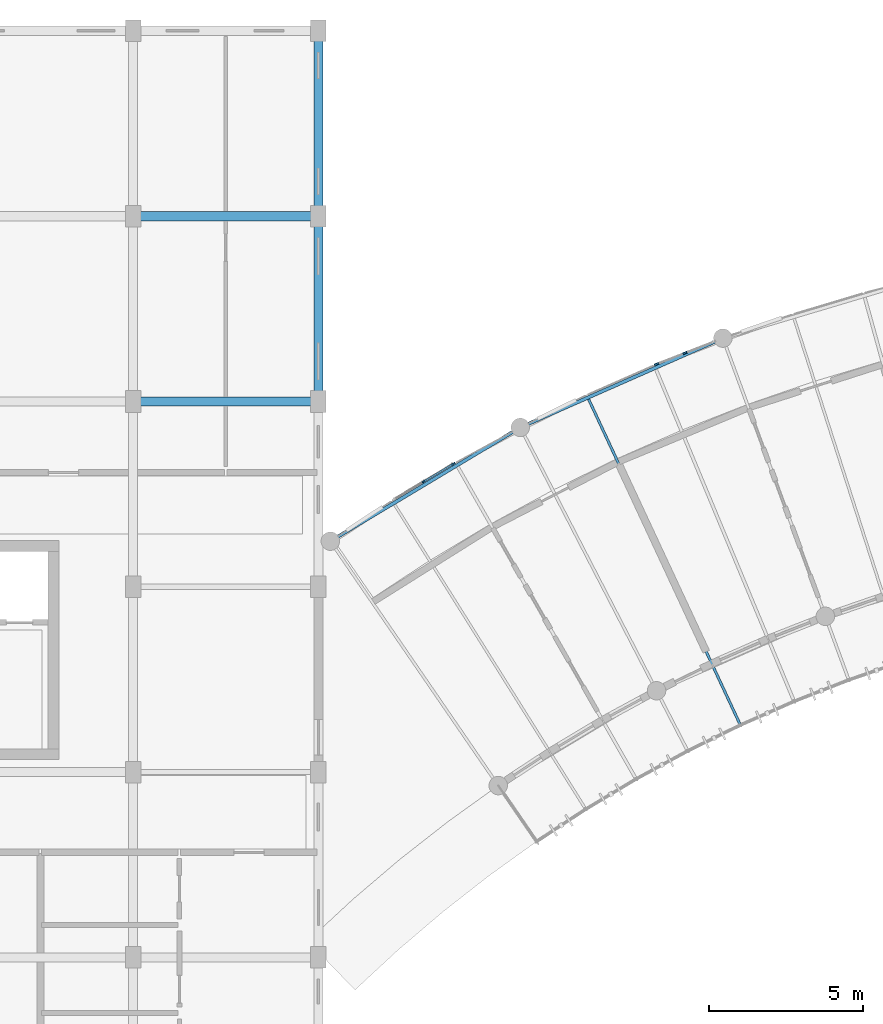
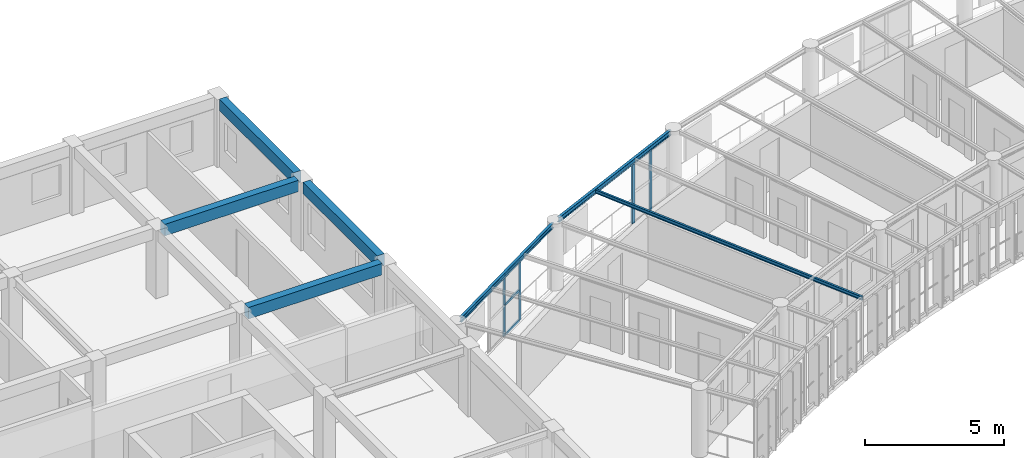
# One storey, part 32 of 101: 7 beams, 7 members, 2 elements without a shape of their own.
"""IFC4 building model written with IfcOpenShell, lengths in metres."""

from ifc_helpers import new_model, si_unit, direction, frame, origin, origin_2d, place, context, subcontext, project, spatial, rectangle, i_section, extrude, material, layer, layer_set, material_profile, profile_set, type_object, element, aggregate, save


model = new_model("IFC4")

# Units and contexts
model_context = context("Model", 3, precision=1e-05, world=origin(), true_north=direction((0.0, 1.0)))
body_context = subcontext(model_context, "Body", "Model", "MODEL_VIEW")
ifc_project = project(units=[si_unit("LENGTHUNIT", "METRE"), si_unit("AREAUNIT", "SQUARE_METRE"), si_unit("VOLUMEUNIT", "CUBIC_METRE"), si_unit("PLANEANGLEUNIT", "RADIAN"), si_unit("MASSUNIT", "GRAM", prefix="KILO"), si_unit("POWERUNIT", "WATT"), si_unit("THERMODYNAMICTEMPERATUREUNIT", "KELVIN")], contexts=[model_context])

# Site, building, storey
site_placement = place(None, origin())
site = spatial("IfcSite", under=ifc_project, at=site_placement, CompositionType="ELEMENT")
building_placement = place(site_placement, origin())
building = spatial("IfcBuilding", under=site, at=building_placement, Name="Ruvembo Vaulted Housing Court", CompositionType="ELEMENT")
storey_placement = place(building_placement, frame((0.0, 0.0, 17.300048828125)))
storey = spatial("IfcBuildingStorey", under=building, at=storey_placement, Name="L05", CompositionType="ELEMENT", Elevation=17.300048828125)

# Beams
ifc_material_1 = material(Name="Steel S355J2", Category="steel")
ifc_material_profile_1 = material_profile(ifc_material_1, i_section(OverallWidth=0.08203125, OverallDepth=0.159912109375, WebThickness=0.0048828125, FlangeThickness=0.00732421875, FilletRadius=0.009033203125, at=origin_2d()), Name="IPE 160")
ifc_profile_set_1 = profile_set([ifc_material_profile_1], Name="Steel S355J2")
beam_type_1 = type_object("IfcBeamType", Name="BM-ST-IPE160", PredefinedType="JOIST", material=ifc_profile_set_1)
beam_1_placement = place(storey_placement, frame((92.744873046875, 102.07958984375, 2.85205078125), z_axis=(0.422190259357, -0.906507244816, 0.0), x_axis=(0.906507244816, 0.422190259357, 0.0)))
element("IfcBeam", 1, at=beam_1_placement, inside=storey, type_object=beam_type_1, Name="Scoop SC3 L05 Radial Steel Joist 4", PredefinedType="JOIST", context=body_context, shape_type="SweptSolid", body=[
    extrude(i_section(OverallWidth=0.08203125, OverallDepth=0.159912109375, WebThickness=0.0048828125, FlangeThickness=0.00732421875, FilletRadius=0.009033203125, at=origin_2d()), origin(), (0.0, 0.0, 1.0), 11.69091796875),
])
ifc_material_profile_2 = material_profile(ifc_material_1, i_section(OverallWidth=0.110107421875, OverallDepth=0.219970703125, WebThickness=0.005859375, FlangeThickness=0.00927734375, FilletRadius=0.011962890625, at=origin_2d()), Name="IPE 220")
ifc_profile_set_2 = profile_set([ifc_material_profile_2], Name="Steel S355J2")
beam_type_2 = type_object("IfcBeamType", Name="BM-ST-IPE220", PredefinedType="SPANDREL", material=ifc_profile_set_2)
beam_2_placement = place(storey_placement, frame((84.54931640625, 97.574951171875, 2.823974609375), z_axis=(0.857886180297, 0.513839762626, 0.0), x_axis=(-0.513839762626, 0.857886180297, 0.0)))
element("IfcBeam", 2, at=beam_2_placement, inside=storey, type_object=beam_type_2, Name="Scoop SC3 L05 Chord Girder B0", PredefinedType="SPANDREL", context=body_context, shape_type="SweptSolid", body=[
    extrude(i_section(OverallWidth=0.110107421875, OverallDepth=0.219970703125, WebThickness=0.005859375, FlangeThickness=0.00927734375, FilletRadius=0.011962890625, at=origin_2d()), origin(), (0.0, 0.0, 1.0), 6.7880859375),
])
beam_3_placement = place(storey_placement, frame((90.709716796875, 101.2373046875, 2.823974609375), z_axis=(0.915067740263, 0.403300174474, 0.0), x_axis=(-0.403300174474, 0.915067740263, 0.0)))
element("IfcBeam", 3, at=beam_3_placement, inside=storey, type_object=beam_type_2, Name="Scoop SC3 L05 Chord Girder B3", PredefinedType="SPANDREL", context=body_context, shape_type="SweptSolid", body=[
    extrude(i_section(OverallWidth=0.110107421875, OverallDepth=0.219970703125, WebThickness=0.005859375, FlangeThickness=0.00927734375, FilletRadius=0.011962890625, at=origin_2d()), origin(), (0.0, 0.0, 1.0), 6.78857421875),
])

# Curtain wall, members
ifc_material_2 = material(Name="Anodised Aluminium and Solar-Control Glass", Category="aluminium")
ifc_layer = layer(ifc_material_2, 0.1201171875, Name="Anodised Aluminium and Solar-Control Glass")
ifc_layer_set = layer_set([ifc_layer], Name="Anodised Aluminium and Solar-Control Glass")
curtain_wall_type = type_object("IfcCurtainWallType", Name="CW-SCOOP-GAL", PredefinedType="NOTDEFINED", material=ifc_layer_set)
curtain_wall_1_placement = place(storey_placement, origin())
curtain_wall_1 = element("IfcCurtainWall", 4, at=curtain_wall_1_placement, inside=storey, type_object=curtain_wall_type, Name="L05 Curtain Wall CW-L05-0083", PredefinedType="NOTDEFINED")
ifc_material_3 = material(Name="Anodised Aluminium 6063-T6", Category="aluminium")
ifc_material_profile_3 = material_profile(ifc_material_3, rectangle(XDim=0.054931640625, YDim=0.1201171875, at=origin_2d()), Name="ALU 55x120")
ifc_profile_set_3 = profile_set([ifc_material_profile_3], Name="Anodised Aluminium 6063-T6")
member_type_1 = type_object("IfcMemberType", Name="CW-MUL-55x120", PredefinedType="MULLION", material=ifc_profile_set_3)
member_1_placement = place(storey_placement, frame((87.41015625, 99.404052734375, 0.0), z_axis=(0.0, 0.0, 1.0), x_axis=(-0.513827980288, 0.85789323734, 0.0)))
member_1 = element("IfcMember", 5, at=member_1_placement, type_object=member_type_1, Name="CW6 mullion 2", PredefinedType="MULLION", context=body_context, shape_type="SweptSolid", body=[
    extrude(rectangle(XDim=0.054931640625, YDim=0.1201171875, at=origin_2d()), origin(), (0.0, 0.0, 1.0), 2.68994140625),
])
member_2_placement = place(storey_placement, frame((88.369140625, 99.978515625, 0.0), z_axis=(0.0, 0.0, 1.0), x_axis=(-0.513827980288, 0.85789323734, 0.0)))
member_2 = element("IfcMember", 6, at=member_2_placement, type_object=member_type_1, Name="CW6 mullion 3", PredefinedType="MULLION", context=body_context, shape_type="SweptSolid", body=[
    extrude(rectangle(XDim=0.054931640625, YDim=0.1201171875, at=origin_2d()), origin(), (0.0, 0.0, 1.0), 2.68994140625),
])

curtain_wall_2_placement = place(storey_placement, origin())
curtain_wall_2 = element("IfcCurtainWall", 7, at=curtain_wall_2_placement, inside=storey, type_object=curtain_wall_type, Name="L05 Curtain Wall CW-L05-0084", PredefinedType="NOTDEFINED")
ifc_material_profile_4 = material_profile(ifc_material_3, rectangle(XDim=0.06005859375, YDim=0.139892578125, at=origin_2d()), Name="ALU 60x140")
ifc_profile_set_4 = profile_set([ifc_material_profile_4], Name="Anodised Aluminium 6063-T6")
member_type_2 = type_object("IfcMemberType", Name="CW-MUL-60x140", PredefinedType="MULLION", material=ifc_profile_set_4)
member_3_placement = place(storey_placement, frame((94.944091796875, 103.208251953125, 0.0), z_axis=(0.0, 0.0, 1.0), x_axis=(-0.36500342181, 0.931006177244, 0.0)))
member_3 = element("IfcMember", 8, at=member_3_placement, type_object=member_type_2, Name="CW6 mullion 1", PredefinedType="MULLION", context=body_context, shape_type="SweptSolid", body=[
    extrude(rectangle(XDim=0.06005859375, YDim=0.139892578125, at=origin_2d()), origin(), (0.0, 0.0, 1.0), 2.68994140625),
])
member_4_placement = place(storey_placement, frame((95.8662109375, 103.569580078125, 0.0), z_axis=(0.0, 0.0, 1.0), x_axis=(-0.36500342181, 0.931006177244, 0.0)))
member_4 = element("IfcMember", 9, at=member_4_placement, type_object=member_type_2, Name="CW6 mullion 2", PredefinedType="MULLION", context=body_context, shape_type="SweptSolid", body=[
    extrude(rectangle(XDim=0.06005859375, YDim=0.139892578125, at=origin_2d()), origin(), (0.0, 0.0, 1.0), 2.68994140625),
])
aggregate(curtain_wall_2, [member_3, member_4])

# Member
ifc_material_profile_5 = material_profile(ifc_material_3, rectangle(XDim=0.06005859375, YDim=0.10009765625, at=origin_2d()), Name="ALU 60x100")
ifc_profile_set_5 = profile_set([ifc_material_profile_5], Name="Anodised Aluminium 6063-T6")
member_type_3 = type_object("IfcMemberType", Name="CW-TRN-60x100", PredefinedType="USERDEFINED", material=ifc_profile_set_5)
member_5_placement = place(storey_placement, frame((87.43359375, 99.418212890625, 0.030029296875), z_axis=(0.857897997653, 0.513820032329, 0.0), x_axis=(-0.513820032329, 0.857897997653, 0.0)))
member_5 = element("IfcMember", 10, at=member_5_placement, type_object=member_type_3, Name="CW6 transom 2.1", ObjectType="TRANSOM", PredefinedType="USERDEFINED", context=body_context, shape_type="SweptSolid", body=[
    extrude(rectangle(XDim=0.06005859375, YDim=0.10009765625, at=origin_2d()), origin(), (0.0, 0.0, 1.0), 1.06298828125),
])

member_6_placement = place(storey_placement, frame((87.43359375, 99.418212890625, 1.344970703125), z_axis=(0.857897997653, 0.513820032329, 0.0), x_axis=(-0.513820032329, 0.857897997653, 0.0)))
member_6 = element("IfcMember", 11, at=member_6_placement, type_object=member_type_3, Name="CW6 transom 2.2", ObjectType="TRANSOM", PredefinedType="USERDEFINED", context=body_context, shape_type="SweptSolid", body=[
    extrude(rectangle(XDim=0.06005859375, YDim=0.10009765625, at=origin_2d()), origin(), (0.0, 0.0, 1.0), 1.06298828125),
])

member_7_placement = place(storey_placement, frame((87.43359375, 99.418212890625, 2.659912109375), z_axis=(0.857897997653, 0.513820032329, 0.0), x_axis=(-0.513820032329, 0.857897997653, 0.0)))
member_7 = element("IfcMember", 12, at=member_7_placement, type_object=member_type_3, Name="CW6 transom 2.3", ObjectType="TRANSOM", PredefinedType="USERDEFINED", context=body_context, shape_type="SweptSolid", body=[
    extrude(rectangle(XDim=0.06005859375, YDim=0.10009765625, at=origin_2d()), origin(), (0.0, 0.0, 1.0), 1.06298828125),
])

aggregate(curtain_wall_1, [member_1, member_2, member_5, member_6, member_7])

# Beams
ifc_material_4 = material(Name="Concrete C35/45", Category="concrete")
ifc_material_profile_6 = material_profile(ifc_material_4, rectangle(XDim=0.300048828125, YDim=0.5, at=origin_2d()), Name="RC 300x500")
ifc_profile_set_6 = profile_set([ifc_material_profile_6], Name="Concrete C35/45")
beam_type_3 = type_object("IfcBeamType", Name="SP-RC-300x500", PredefinedType="SPANDREL", material=ifc_profile_set_6)
for number, where, z_axis, x_axis, name in (
    (13, (78.235107421875, 102.0, 2.71484375), (1.0, 0.0, 0.0), (0.0, 1.0, 0.0), "L05 Grid Beam X #2403"),
    (14, (78.235107421875, 108.0, 2.71484375), (1.0, 0.0, 0.0), (0.0, 1.0, 0.0), "L05 Grid Beam X #2414"),
):
    element("IfcBeam", number, at=place(storey_placement, frame(where, z_axis=z_axis, x_axis=x_axis)), inside=storey, type_object=beam_type_3, Name=name, PredefinedType="SPANDREL", context=body_context, shape_type="SweptSolid", body=[
        extrude(rectangle(XDim=0.300048828125, YDim=0.5, at=origin_2d()), origin(), (0.0, 0.0, 1.0), 5.52978515625),
    ])
for number, where, z_axis, x_axis, name in (
    (15, (84.0, 102.3349609375, 2.71484375), (0.0, 1.0, 0.0), (-1.0, 0.0, 0.0), "L05 Grid Beam Y #2489"),
    (16, (84.0, 108.3349609375, 2.71484375), (0.0, 1.0, 0.0), (-1.0, 0.0, 0.0), "L05 Grid Beam Y #2490"),
):
    element("IfcBeam", number, at=place(storey_placement, frame(where, z_axis=z_axis, x_axis=x_axis)), inside=storey, type_object=beam_type_3, Name=name, PredefinedType="SPANDREL", context=body_context, shape_type="SweptSolid", body=[
        extrude(rectangle(XDim=0.300048828125, YDim=0.5, at=origin_2d()), origin(), (0.0, 0.0, 1.0), 5.330078125),
    ])

save(model, "model.ifc")
